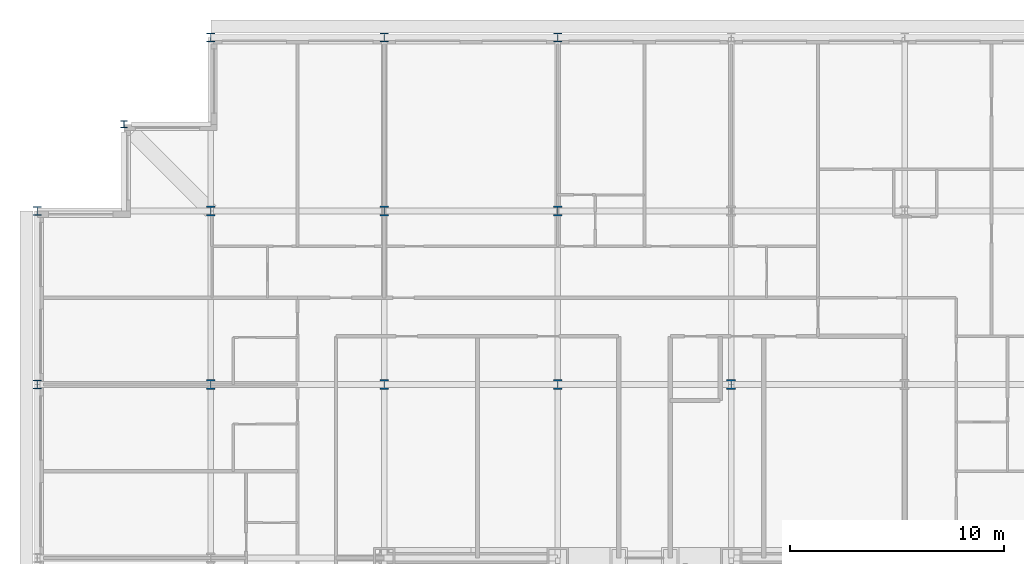
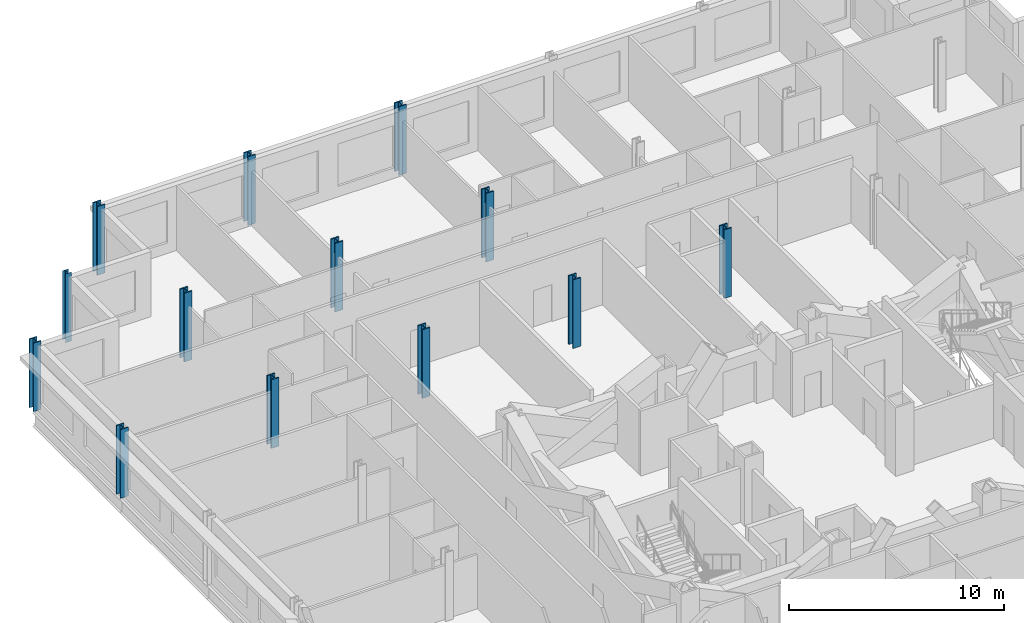
# One storey, part 3 of 15: 13 columns.
"""IFC4 building model written with IfcOpenShell, lengths in metres."""

from ifc_helpers import new_model, si_unit, direction, frame, origin, origin_2d, place, context, subcontext, project, spatial, i_section, extrude, material, material_profile, profile_set, type_object, element, save


model = new_model("IFC4")

# Units and contexts
model_context = context("Model", 3, precision=1e-05, world=origin(), true_north=direction((0.0, 1.0)))
body_context = subcontext(model_context, "Body", "Model", "MODEL_VIEW")
ifc_project = project(units=[si_unit("LENGTHUNIT", "METRE"), si_unit("AREAUNIT", "SQUARE_METRE"), si_unit("VOLUMEUNIT", "CUBIC_METRE"), si_unit("PLANEANGLEUNIT", "RADIAN"), si_unit("MASSUNIT", "GRAM", prefix="KILO")], contexts=[model_context])

# Site, building, storey
site_placement = place(None, origin())
site = spatial("IfcSite", under=ifc_project, at=site_placement, CompositionType="ELEMENT")
building_placement = place(site_placement, origin())
building = spatial("IfcBuilding", under=site, at=building_placement, Name="Kopane Lantern Tower", CompositionType="ELEMENT")
storey_placement = place(building_placement, frame((0.0, 0.0, 246.300048828125)))
storey = spatial("IfcBuildingStorey", under=building, at=storey_placement, Name="L63", CompositionType="ELEMENT", Elevation=246.300048828125)

# Columns
ifc_material_1 = material(Name="Steel S355JR", Category="steel")
ifc_material_profile_1 = material_profile(ifc_material_1, i_section(OverallWidth=0.307373046875, OverallDepth=0.314453125, WebThickness=0.011962890625, FlangeThickness=0.018798828125, FilletRadius=0.01513671875, at=origin_2d()), Name="UC 305x305x118")
ifc_profile_set_1 = profile_set([ifc_material_profile_1], Name="Steel S355JR")
column_type_1 = type_object("IfcColumnType", Name="COLUMN UC 305x305x118", PredefinedType="COLUMN", material=ifc_profile_set_1)
column_placement = place(storey_placement, frame((4.050048828125, 60.75, 0.0), z_axis=(0.0, 0.0, 1.0), x_axis=(1.0, 0.0, 0.0)))
element("IfcColumn", 1, at=column_placement, inside=storey, type_object=column_type_1, Name="Column 4.05/60.75 L63", PredefinedType="COLUMN", context=body_context, shape_type="SweptSolid", body=[
    extrude(i_section(OverallWidth=0.307373046875, OverallDepth=0.314453125, WebThickness=0.011962890625, FlangeThickness=0.018798828125, FilletRadius=0.01513671875, at=origin_2d()), origin(), (0.0, 0.0, 1.0), 3.89990234375),
])
ifc_material_2 = material(Name="Steel S355JR", Category="steel")
ifc_material_profile_2 = material_profile(ifc_material_2, i_section(OverallWidth=0.412109375, OverallDepth=0.4365234375, WebThickness=0.035888671875, FlangeThickness=0.05810546875, FilletRadius=0.01513671875, at=origin_2d()), Name="UC 356x406x467")
ifc_profile_set_2 = profile_set([ifc_material_profile_2], Name="Steel S355JR")
column_type_2 = type_object("IfcColumnType", Name="COLUMN UC 356x406x467", PredefinedType="COLUMN", material=ifc_profile_set_2)
for number, where, z_axis, x_axis, name in (
    (2, (0.0, 48.60009765625, 0.0), (0.0, 0.0, 1.0), (1.0, 0.0, 0.0), "Column 2/H L63"),
    (3, (0.0, 56.699951171875, 0.0), (0.0, 0.0, 1.0), (1.0, 0.0, 0.0), "Column 2/J L63"),
    (4, (8.10009765625, 64.800048828125, 0.0), (0.0, 0.0, 1.0), (1.0, 0.0, 0.0), "Column 3/K L63"),
    (5, (16.199951171875, 64.800048828125, 0.0), (0.0, 0.0, 1.0), (1.0, 0.0, 0.0), "Column 4/K L63"),
    (6, (24.300048828125, 64.800048828125, 0.0), (0.0, 0.0, 1.0), (1.0, 0.0, 0.0), "Column 5/K L63"),
):
    element("IfcColumn", number, at=place(storey_placement, frame(where, z_axis=z_axis, x_axis=x_axis)), inside=storey, type_object=column_type_2, Name=name, PredefinedType="COLUMN", context=body_context, shape_type="SweptSolid", body=[
        extrude(i_section(OverallWidth=0.412109375, OverallDepth=0.4365234375, WebThickness=0.035888671875, FlangeThickness=0.05810546875, FilletRadius=0.01513671875, at=origin_2d()), origin(), (0.0, 0.0, 1.0), 3.89990234375),
    ])
ifc_material_3 = material(Name="Steel S355JR", Category="steel")
ifc_material_profile_3 = material_profile(ifc_material_3, i_section(OverallWidth=0.41845703125, OverallDepth=0.45556640625, WebThickness=0.0419921875, FlangeThickness=0.0673828125, FilletRadius=0.01513671875, at=origin_2d()), Name="UC 356x406x551")
ifc_profile_set_3 = profile_set([ifc_material_profile_3], Name="Steel S355JR")
column_type_3 = type_object("IfcColumnType", Name="COLUMN UC 356x406x551", PredefinedType="COLUMN", material=ifc_profile_set_3)
for number, where, z_axis, x_axis, name in (
    (7, (8.10009765625, 48.60009765625, 0.0), (0.0, 0.0, 1.0), (1.0, 0.0, 0.0), "Column 3/H L63"),
    (8, (8.10009765625, 56.699951171875, 0.0), (0.0, 0.0, 1.0), (1.0, 0.0, 0.0), "Column 3/J L63"),
    (9, (16.199951171875, 48.60009765625, 0.0), (0.0, 0.0, 1.0), (1.0, 0.0, 0.0), "Column 4/H L63"),
    (10, (16.199951171875, 56.699951171875, 0.0), (0.0, 0.0, 1.0), (1.0, 0.0, 0.0), "Column 4/J L63"),
    (11, (24.300048828125, 48.60009765625, 0.0), (0.0, 0.0, 1.0), (1.0, 0.0, 0.0), "Column 5/H L63"),
    (12, (24.300048828125, 56.699951171875, 0.0), (0.0, 0.0, 1.0), (1.0, 0.0, 0.0), "Column 5/J L63"),
    (13, (32.39990234375, 48.60009765625, 0.0), (0.0, 0.0, 1.0), (1.0, 0.0, 0.0), "Column 6/H L63"),
):
    element("IfcColumn", number, at=place(storey_placement, frame(where, z_axis=z_axis, x_axis=x_axis)), inside=storey, type_object=column_type_3, Name=name, PredefinedType="COLUMN", context=body_context, shape_type="SweptSolid", body=[
        extrude(i_section(OverallWidth=0.41845703125, OverallDepth=0.45556640625, WebThickness=0.0419921875, FlangeThickness=0.0673828125, FilletRadius=0.01513671875, at=origin_2d()), origin(), (0.0, 0.0, 1.0), 3.89990234375),
    ])

save(model, "model.ifc")
